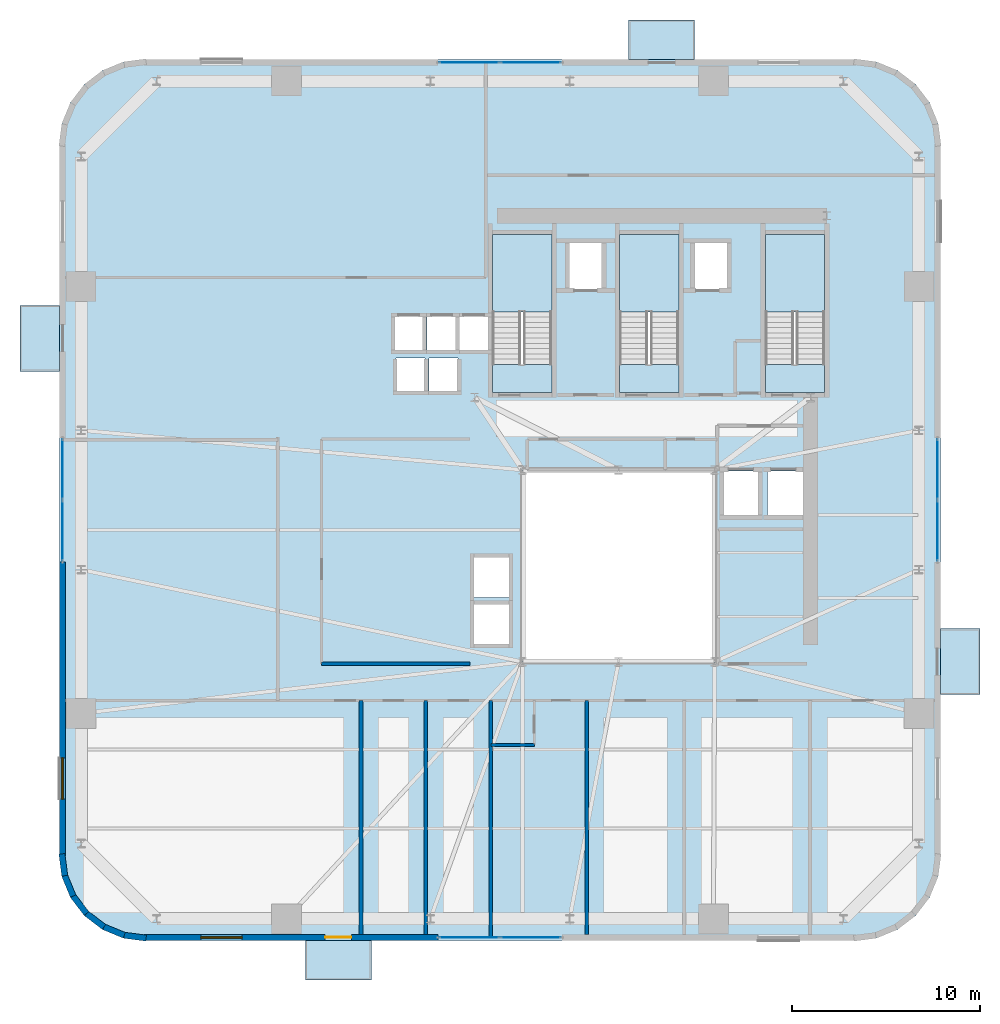
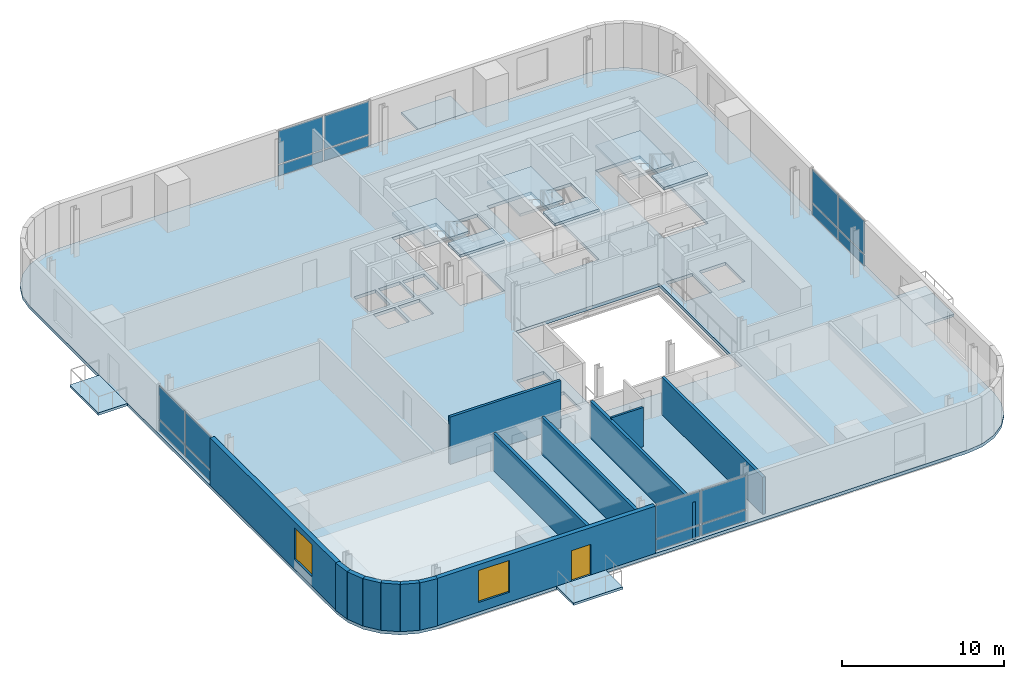
# One storey, part 5 of 14: 16 plates, 14 walls, 11 slabs, 2 windows, 1 door, 3 openings, 7 elements without a shape of their own.
"""IFC4 building model written with IfcOpenShell, lengths in metres."""

from ifc_helpers import new_model, si_unit, direction, frame, frame_2d, origin, origin_2d, place, context, subcontext, project, spatial, polyline, rectangle, outline, extrude, source, transform, mapped, material, layer, layer_set, type_object, element, fill, aggregate, save


model = new_model("IFC4")

# Units and contexts
model_context = context("Model", 3, precision=1e-05, world=origin(), true_north=direction((0.0, 1.0)))
body_context = subcontext(model_context, "Body", "Model", "MODEL_VIEW")
ifc_project = project(units=[si_unit("LENGTHUNIT", "METRE"), si_unit("AREAUNIT", "SQUARE_METRE"), si_unit("VOLUMEUNIT", "CUBIC_METRE"), si_unit("PLANEANGLEUNIT", "RADIAN"), si_unit("MASSUNIT", "GRAM", prefix="KILO")], contexts=[model_context])

# Site, building, storey
site_placement = place(None, origin())
site = spatial("IfcSite", under=ifc_project, at=site_placement, CompositionType="ELEMENT")
building_placement = place(site_placement, origin())
building = spatial("IfcBuilding", under=site, at=building_placement, Name="Vardaveli Station Tower", CompositionType="ELEMENT")
storey_placement = place(building_placement, frame((0.0, 0.0, 107.5)))
storey = spatial("IfcBuildingStorey", under=building, at=storey_placement, Name="L27", CompositionType="ELEMENT", Elevation=107.5)

# Stair, slabs
ifc_material_1 = material(Name="Concrete C40/50", Category="concrete")
stair_type = type_object("IfcStairType", Name="STR-CORE-1500", PredefinedType="HALF_TURN_STAIR", material=ifc_material_1)
stair_1_placement = place(storey_placement, origin())
stair_1 = element("IfcStair", 1, at=stair_1_placement, inside=storey, type_object=stair_type, Name="L27 ST-1", PredefinedType="HALF_TURN_STAIR")
ifc_layer_1 = layer(ifc_material_1, 0.199951171875, Name="Concrete C40/50")
ifc_layer_set_1 = layer_set([ifc_layer_1], Name="Concrete C40/50")
slab_type_1 = type_object("IfcSlabType", Name="SLB-LAND-200", PredefinedType="LANDING", material=ifc_layer_set_1)
slab_1_placement = place(storey_placement, frame((0.0, 0.0, 1.699951171875)))
slab_1 = element("IfcSlab", 2, at=slab_1_placement, type_object=slab_type_1, Name="ST-1 landing 1", PredefinedType="LANDING", context=body_context, shape_type="SweptSolid", body=[
    extrude(outline(polyline([(32.75, 35.199951171875), (32.75, 39.300048828125), (29.60009765625, 39.300048828125), (29.60009765625, 35.199951171875), (32.75, 35.199951171875)])), origin(), (0.0, 0.0, 1.0), 0.199951171875),
])
slab_2_placement = place(storey_placement, frame((0.0, 0.0, 3.60009765625)))
slab_2 = element("IfcSlab", 3, at=slab_2_placement, type_object=slab_type_1, Name="ST-1 landing 2", PredefinedType="LANDING", context=body_context, shape_type="SweptSolid", body=[
    extrude(outline(polyline([(32.75, 30.89990234375), (32.75, 32.39990234375), (29.60009765625, 32.39990234375), (29.60009765625, 30.89990234375), (32.75, 30.89990234375)])), origin(), (0.0, 0.0, 1.0), 0.199951171875),
])
aggregate(stair_1, [slab_1, slab_2])

stair_2_placement = place(storey_placement, origin())
stair_2 = element("IfcStair", 4, at=stair_2_placement, inside=storey, type_object=stair_type, Name="L27 ST-2", PredefinedType="HALF_TURN_STAIR")
slab_3_placement = place(storey_placement, frame((0.0, 0.0, 1.699951171875)))
slab_3 = element("IfcSlab", 5, at=slab_3_placement, type_object=slab_type_1, Name="ST-2 landing 1", PredefinedType="LANDING", context=body_context, shape_type="SweptSolid", body=[
    extrude(outline(polyline([(39.5, 35.199951171875), (39.5, 39.300048828125), (36.35009765625, 39.300048828125), (36.35009765625, 35.199951171875), (39.5, 35.199951171875)])), origin(), (0.0, 0.0, 1.0), 0.199951171875),
])
slab_4_placement = place(storey_placement, frame((0.0, 0.0, 3.60009765625)))
slab_4 = element("IfcSlab", 6, at=slab_4_placement, type_object=slab_type_1, Name="ST-2 landing 2", PredefinedType="LANDING", context=body_context, shape_type="SweptSolid", body=[
    extrude(outline(polyline([(39.5, 30.89990234375), (39.5, 32.39990234375), (36.35009765625, 32.39990234375), (36.35009765625, 30.89990234375), (39.5, 30.89990234375)])), origin(), (0.0, 0.0, 1.0), 0.199951171875),
])
aggregate(stair_2, [slab_3, slab_4])

stair_3_placement = place(storey_placement, origin())
stair_3 = element("IfcStair", 7, at=stair_3_placement, inside=storey, type_object=stair_type, Name="L27 ST-3", PredefinedType="HALF_TURN_STAIR")
slab_5_placement = place(storey_placement, frame((0.0, 0.0, 1.699951171875)))
slab_5 = element("IfcSlab", 8, at=slab_5_placement, type_object=slab_type_1, Name="ST-3 landing 1", PredefinedType="LANDING", context=body_context, shape_type="SweptSolid", body=[
    extrude(outline(polyline([(47.25, 35.199951171875), (47.25, 39.300048828125), (44.10009765625, 39.300048828125), (44.10009765625, 35.199951171875), (47.25, 35.199951171875)])), origin(), (0.0, 0.0, 1.0), 0.199951171875),
])
slab_6_placement = place(storey_placement, frame((0.0, 0.0, 3.60009765625)))
slab_6 = element("IfcSlab", 9, at=slab_6_placement, type_object=slab_type_1, Name="ST-3 landing 2", PredefinedType="LANDING", context=body_context, shape_type="SweptSolid", body=[
    extrude(outline(polyline([(47.25, 30.89990234375), (47.25, 32.39990234375), (44.10009765625, 32.39990234375), (44.10009765625, 30.89990234375), (47.25, 30.89990234375)])), origin(), (0.0, 0.0, 1.0), 0.199951171875),
])
aggregate(stair_3, [slab_5, slab_6])

# Slabs
ifc_material_2 = material(Name="Precast concrete C45/55", Category="concrete")
ifc_layer_2 = layer(ifc_material_2, 0.179931640625, Name="Precast concrete C45/55")
ifc_layer_set_2 = layer_set([ifc_layer_2], Name="Precast concrete C45/55")
slab_type_2 = type_object("IfcSlabType", Name="SLB-LOGGIA-180", PredefinedType="FLOOR", material=ifc_layer_set_2)
slab_7_placement = place(storey_placement, frame((0.0, 0.0, -0.179931640625)))
element("IfcSlab", 10, at=slab_7_placement, inside=storey, type_object=slab_type_2, Name="LOG-L27-S", PredefinedType="FLOOR", context=body_context, shape_type="SweptSolid", body=[
    extrude(outline(polyline([(19.660400390625, -0.300048828125), (23.160400390625, -0.300048828125), (23.160400390625, 1.800048828125), (19.660400390625, 1.800048828125), (19.660400390625, -0.300048828125)])), origin(), (0.0, 0.0, 1.0), 0.179931640625),
])
slab_8_placement = place(storey_placement, frame((0.0, 0.0, -0.179931640625)))
element("IfcSlab", 11, at=slab_8_placement, inside=storey, type_object=slab_type_2, Name="LOG-L27-N", PredefinedType="FLOOR", context=body_context, shape_type="SweptSolid", body=[
    extrude(outline(polyline([(36.839599609375, 48.60009765625), (40.339599609375, 48.60009765625), (40.339599609375, 50.699951171875), (36.839599609375, 50.699951171875), (36.839599609375, 48.60009765625)])), origin(), (0.0, 0.0, 1.0), 0.179931640625),
])
slab_9_placement = place(storey_placement, frame((0.0, 0.0, -0.179931640625)))
element("IfcSlab", 12, at=slab_9_placement, inside=storey, type_object=slab_type_2, Name="LOG-L27-W", PredefinedType="FLOOR", context=body_context, shape_type="SweptSolid", body=[
    extrude(outline(polyline([(4.5, 32.03955078125), (6.60009765625, 32.03955078125), (6.60009765625, 35.53955078125), (4.5, 35.53955078125), (4.5, 32.03955078125)])), origin(), (0.0, 0.0, 1.0), 0.179931640625),
])
slab_10_placement = place(storey_placement, frame((0.0, 0.0, -0.179931640625)))
element("IfcSlab", 13, at=slab_10_placement, inside=storey, type_object=slab_type_2, Name="LOG-L27-E", PredefinedType="FLOOR", context=body_context, shape_type="SweptSolid", body=[
    extrude(outline(polyline([(53.39990234375, 14.8603515625), (55.5, 14.8603515625), (55.5, 18.3603515625), (53.39990234375, 18.3603515625), (53.39990234375, 14.8603515625)])), origin(), (0.0, 0.0, 1.0), 0.179931640625),
])
ifc_layer_3 = layer(ifc_material_1, 0.239990234375, Name="Concrete C40/50")
ifc_layer_set_3 = layer_set([ifc_layer_3], Name="Concrete C40/50")
slab_type_3 = type_object("IfcSlabType", Name="SLB-TOW-240", PredefinedType="FLOOR", material=ifc_layer_set_3)
slab_11_placement = place(storey_placement, frame((0.0, 0.0, -0.239990234375)))
element("IfcSlab", 14, at=slab_11_placement, inside=storey, type_object=slab_type_3, Name="SLB-L27-MAIN", PredefinedType="FLOOR", context=body_context, shape_type="SweptSolid", body=[
    extrude(outline(polyline([(6.60009765625, 6.300048828125), (6.75341796875, 5.13525390625), (7.202880859375, 4.050048828125), (7.91796875, 3.117919921875), (8.85009765625, 2.40283203125), (9.935302734375, 1.953369140625), (11.10009765625, 1.800048828125), (48.89990234375, 1.800048828125), (50.064697265625, 1.953369140625), (51.14990234375, 2.40283203125), (52.08203125, 3.117919921875), (52.797119140625, 4.050048828125), (53.24658203125, 5.13525390625), (53.39990234375, 6.300048828125), (53.39990234375, 44.10009765625), (53.24658203125, 45.2646484375), (52.797119140625, 46.35009765625), (52.08203125, 47.281982421875), (51.14990234375, 47.9970703125), (50.064697265625, 48.44677734375), (48.89990234375, 48.60009765625), (11.10009765625, 48.60009765625), (9.935302734375, 48.44677734375), (8.85009765625, 47.9970703125), (7.91796875, 47.281982421875), (7.202880859375, 46.35009765625), (6.75341796875, 45.2646484375), (6.60009765625, 44.10009765625), (6.60009765625, 6.300048828125)]), holes=[polyline([(31.199951171875, 16.60009765625), (41.39990234375, 16.60009765625), (41.39990234375, 26.800048828125), (31.199951171875, 26.800048828125), (31.199951171875, 16.60009765625)]), polyline([(32.75, 30.89990234375), (32.75, 39.300048828125), (29.60009765625, 39.300048828125), (29.60009765625, 30.89990234375), (32.75, 30.89990234375)]), polyline([(39.5, 30.89990234375), (39.5, 39.300048828125), (36.35009765625, 39.300048828125), (36.35009765625, 30.89990234375), (39.5, 30.89990234375)]), polyline([(47.25, 30.89990234375), (47.25, 39.300048828125), (44.10009765625, 39.300048828125), (44.10009765625, 30.89990234375), (47.25, 30.89990234375)]), polyline([(24.385009765625, 33.135009765625), (25.9150390625, 33.135009765625), (25.9150390625, 34.965087890625), (24.385009765625, 34.965087890625), (24.385009765625, 33.135009765625)]), polyline([(26.135009765625, 33.135009765625), (27.6650390625, 33.135009765625), (27.6650390625, 34.965087890625), (26.135009765625, 34.965087890625), (26.135009765625, 33.135009765625)]), polyline([(27.8349609375, 33.135009765625), (29.364990234375, 33.135009765625), (29.364990234375, 34.965087890625), (27.8349609375, 34.965087890625), (27.8349609375, 33.135009765625)]), polyline([(33.659912109375, 36.409912109375), (35.43994140625, 36.409912109375), (35.43994140625, 38.889892578125), (33.659912109375, 38.889892578125), (33.659912109375, 36.409912109375)]), polyline([(40.31005859375, 36.409912109375), (42.090087890625, 36.409912109375), (42.090087890625, 38.889892578125), (40.31005859375, 38.889892578125), (40.31005859375, 36.409912109375)]), polyline([(24.485107421875, 30.9599609375), (26.014892578125, 30.9599609375), (26.014892578125, 32.739990234375), (24.485107421875, 32.739990234375), (24.485107421875, 30.9599609375)]), polyline([(26.235107421875, 30.9599609375), (27.764892578125, 30.9599609375), (27.764892578125, 32.739990234375), (26.235107421875, 32.739990234375), (26.235107421875, 30.9599609375)]), polyline([(28.5849609375, 17.510009765625), (30.514892578125, 17.510009765625), (30.514892578125, 19.68994140625), (28.5849609375, 19.68994140625), (28.5849609375, 17.510009765625)]), polyline([(28.5849609375, 20.010009765625), (30.514892578125, 20.010009765625), (30.514892578125, 22.18994140625), (28.5849609375, 22.18994140625), (28.5849609375, 20.010009765625)]), polyline([(41.860107421875, 24.360107421875), (43.739990234375, 24.360107421875), (43.739990234375, 26.739990234375), (41.860107421875, 26.739990234375), (41.860107421875, 24.360107421875)]), polyline([(44.2099609375, 24.360107421875), (46.090087890625, 24.360107421875), (46.090087890625, 26.739990234375), (44.2099609375, 26.739990234375), (44.2099609375, 24.360107421875)])]), origin(), (0.0, 0.0, 1.0), 0.239990234375),
])

# Curtain wall, plates
ifc_material_3 = material(Name="Travertine stone and solar-control glass", Category="masonry")
curtain_wall_type = type_object("IfcCurtainWallType", Name="CW-SYS-2", PredefinedType="NOTDEFINED", material=ifc_material_3)
curtain_wall_1_placement = place(storey_placement, origin())
curtain_wall_1 = element("IfcCurtainWall", 15, at=curtain_wall_1_placement, inside=storey, type_object=curtain_wall_type, Name="CW-L27-S", PredefinedType="NOTDEFINED")
ifc_material_4 = material(Name="Double-glazed low-E solar-control glass", Category="glass")
ifc_layer_4 = layer(ifc_material_4, 0.035888671875, Name="Double-glazed low-E solar-control glass")
ifc_layer_set_4 = layer_set([ifc_layer_4], Name="Double-glazed low-E solar-control glass")
plate_type = type_object("IfcPlateType", Name="CW-SYS-2-PAN", PredefinedType="CURTAIN_PANEL", material=ifc_layer_set_4)
shared_shape_1 = source(origin(), body_context, "Body", "SweptSolid", [
    extrude(rectangle(XDim=3.172607421875, YDim=0.035888671875, at=origin_2d()), origin(), (0.0, 0.0, 1.0), 0.822509765625),
])
plate_1_placement = place(storey_placement, frame((28.371337890625, 1.9599609375, 0.0849609375), z_axis=(0.0, 0.0, 1.0), x_axis=(1.0, 0.0, 0.0)))
plate_1 = element("IfcPlate", 16, at=plate_1_placement, type_object=plate_type, Name="CW-2 panel 1.1", PredefinedType="CURTAIN_PANEL", context=body_context, shape_type="MappedRepresentation", body=[
    mapped(shared_shape_1, transform((0.0, 0.0, 0.0), scale=1.0)),
])
plate_2_placement = place(storey_placement, frame((31.628662109375, 1.9599609375, 0.0849609375), z_axis=(0.0, 0.0, 1.0), x_axis=(1.0, 0.0, 0.0)))
plate_2 = element("IfcPlate", 17, at=plate_2_placement, type_object=plate_type, Name="CW-2 panel 2.1", PredefinedType="CURTAIN_PANEL", context=body_context, shape_type="MappedRepresentation", body=[
    mapped(shared_shape_1, transform((0.0, 0.0, 0.0), scale=1.0)),
])

curtain_wall_2_placement = place(storey_placement, origin())
curtain_wall_2 = element("IfcCurtainWall", 18, at=curtain_wall_2_placement, inside=storey, type_object=curtain_wall_type, Name="CW-L27-N", PredefinedType="NOTDEFINED")
plate_3_placement = place(storey_placement, frame((31.628662109375, 48.43994140625, 0.0849609375), z_axis=(0.0, 0.0, 1.0), x_axis=(-1.0, 0.0, 0.0)))
plate_3 = element("IfcPlate", 19, at=plate_3_placement, type_object=plate_type, Name="CW-2 panel 1.1", PredefinedType="CURTAIN_PANEL", context=body_context, shape_type="MappedRepresentation", body=[
    mapped(shared_shape_1, transform((0.0, 0.0, 0.0), scale=1.0)),
])
plate_4_placement = place(storey_placement, frame((28.371337890625, 48.43994140625, 0.0849609375), z_axis=(0.0, 0.0, 1.0), x_axis=(-1.0, 0.0, 0.0)))
plate_4 = element("IfcPlate", 20, at=plate_4_placement, type_object=plate_type, Name="CW-2 panel 2.1", PredefinedType="CURTAIN_PANEL", context=body_context, shape_type="MappedRepresentation", body=[
    mapped(shared_shape_1, transform((0.0, 0.0, 0.0), scale=1.0)),
])

curtain_wall_3_placement = place(storey_placement, origin())
curtain_wall_3 = element("IfcCurtainWall", 21, at=curtain_wall_3_placement, inside=storey, type_object=curtain_wall_type, Name="CW-L27-W", PredefinedType="NOTDEFINED")
plate_5_placement = place(storey_placement, frame((6.760009765625, 26.828857421875, 0.0849609375), z_axis=(0.0, 0.0, 1.0), x_axis=(0.0, -1.0, 0.0)))
plate_5 = element("IfcPlate", 22, at=plate_5_placement, type_object=plate_type, Name="CW-2 panel 1.1", PredefinedType="CURTAIN_PANEL", context=body_context, shape_type="MappedRepresentation", body=[
    mapped(shared_shape_1, transform((0.0, 0.0, 0.0), scale=1.0)),
])
plate_6_placement = place(storey_placement, frame((6.760009765625, 23.5712890625, 0.0849609375), z_axis=(0.0, 0.0, 1.0), x_axis=(0.0, -1.0, 0.0)))
plate_6 = element("IfcPlate", 23, at=plate_6_placement, type_object=plate_type, Name="CW-2 panel 2.1", PredefinedType="CURTAIN_PANEL", context=body_context, shape_type="MappedRepresentation", body=[
    mapped(shared_shape_1, transform((0.0, 0.0, 0.0), scale=1.0)),
])

curtain_wall_4_placement = place(storey_placement, origin())
curtain_wall_4 = element("IfcCurtainWall", 24, at=curtain_wall_4_placement, inside=storey, type_object=curtain_wall_type, Name="CW-L27-E", PredefinedType="NOTDEFINED")
plate_7_placement = place(storey_placement, frame((53.239990234375, 23.5712890625, 0.0849609375), z_axis=(0.0, 0.0, 1.0), x_axis=(0.0, 1.0, 0.0)))
plate_7 = element("IfcPlate", 25, at=plate_7_placement, type_object=plate_type, Name="CW-2 panel 1.1", PredefinedType="CURTAIN_PANEL", context=body_context, shape_type="MappedRepresentation", body=[
    mapped(shared_shape_1, transform((0.0, 0.0, 0.0), scale=1.0)),
])
plate_8_placement = place(storey_placement, frame((53.239990234375, 26.828857421875, 0.0849609375), z_axis=(0.0, 0.0, 1.0), x_axis=(0.0, 1.0, 0.0)))
plate_8 = element("IfcPlate", 26, at=plate_8_placement, type_object=plate_type, Name="CW-2 panel 2.1", PredefinedType="CURTAIN_PANEL", context=body_context, shape_type="MappedRepresentation", body=[
    mapped(shared_shape_1, transform((0.0, 0.0, 0.0), scale=1.0)),
])

# Plate
shared_shape_2 = source(origin(), body_context, "Body", "SweptSolid", [
    extrude(rectangle(XDim=3.172607421875, YDim=0.035888671875, at=origin_2d()), origin(), (0.0, 0.0, 1.0), 2.482421875),
])
plate_9_placement = place(storey_placement, frame((28.371337890625, 1.9599609375, 0.992431640625), z_axis=(0.0, 0.0, 1.0), x_axis=(1.0, 0.0, 0.0)))
plate_9 = element("IfcPlate", 27, at=plate_9_placement, type_object=plate_type, Name="CW-2 panel 1.2", PredefinedType="CURTAIN_PANEL", context=body_context, shape_type="MappedRepresentation", body=[
    mapped(shared_shape_2, transform((0.0, 0.0, 0.0), scale=1.0)),
])

plate_10_placement = place(storey_placement, frame((31.628662109375, 1.9599609375, 0.992431640625), z_axis=(0.0, 0.0, 1.0), x_axis=(1.0, 0.0, 0.0)))
plate_10 = element("IfcPlate", 28, at=plate_10_placement, type_object=plate_type, Name="CW-2 panel 2.2", PredefinedType="CURTAIN_PANEL", context=body_context, shape_type="MappedRepresentation", body=[
    mapped(shared_shape_2, transform((0.0, 0.0, 0.0), scale=1.0)),
])

aggregate(curtain_wall_1, [plate_1, plate_9, plate_2, plate_10])

plate_11_placement = place(storey_placement, frame((31.628662109375, 48.43994140625, 0.992431640625), z_axis=(0.0, 0.0, 1.0), x_axis=(-1.0, 0.0, 0.0)))
plate_11 = element("IfcPlate", 29, at=plate_11_placement, type_object=plate_type, Name="CW-2 panel 1.2", PredefinedType="CURTAIN_PANEL", context=body_context, shape_type="MappedRepresentation", body=[
    mapped(shared_shape_2, transform((0.0, 0.0, 0.0), scale=1.0)),
])

plate_12_placement = place(storey_placement, frame((28.371337890625, 48.43994140625, 0.992431640625), z_axis=(0.0, 0.0, 1.0), x_axis=(-1.0, 0.0, 0.0)))
plate_12 = element("IfcPlate", 30, at=plate_12_placement, type_object=plate_type, Name="CW-2 panel 2.2", PredefinedType="CURTAIN_PANEL", context=body_context, shape_type="MappedRepresentation", body=[
    mapped(shared_shape_2, transform((0.0, 0.0, 0.0), scale=1.0)),
])

aggregate(curtain_wall_2, [plate_3, plate_11, plate_4, plate_12])

plate_13_placement = place(storey_placement, frame((6.760009765625, 26.828857421875, 0.992431640625), z_axis=(0.0, 0.0, 1.0), x_axis=(0.0, -1.0, 0.0)))
plate_13 = element("IfcPlate", 31, at=plate_13_placement, type_object=plate_type, Name="CW-2 panel 1.2", PredefinedType="CURTAIN_PANEL", context=body_context, shape_type="MappedRepresentation", body=[
    mapped(shared_shape_2, transform((0.0, 0.0, 0.0), scale=1.0)),
])

plate_14_placement = place(storey_placement, frame((6.760009765625, 23.5712890625, 0.992431640625), z_axis=(0.0, 0.0, 1.0), x_axis=(0.0, -1.0, 0.0)))
plate_14 = element("IfcPlate", 32, at=plate_14_placement, type_object=plate_type, Name="CW-2 panel 2.2", PredefinedType="CURTAIN_PANEL", context=body_context, shape_type="MappedRepresentation", body=[
    mapped(shared_shape_2, transform((0.0, 0.0, 0.0), scale=1.0)),
])

aggregate(curtain_wall_3, [plate_5, plate_13, plate_6, plate_14])

plate_15_placement = place(storey_placement, frame((53.239990234375, 23.5712890625, 0.992431640625), z_axis=(0.0, 0.0, 1.0), x_axis=(0.0, 1.0, 0.0)))
plate_15 = element("IfcPlate", 33, at=plate_15_placement, type_object=plate_type, Name="CW-2 panel 1.2", PredefinedType="CURTAIN_PANEL", context=body_context, shape_type="MappedRepresentation", body=[
    mapped(shared_shape_2, transform((0.0, 0.0, 0.0), scale=1.0)),
])

plate_16_placement = place(storey_placement, frame((53.239990234375, 26.828857421875, 0.992431640625), z_axis=(0.0, 0.0, 1.0), x_axis=(0.0, 1.0, 0.0)))
plate_16 = element("IfcPlate", 34, at=plate_16_placement, type_object=plate_type, Name="CW-2 panel 2.2", PredefinedType="CURTAIN_PANEL", context=body_context, shape_type="MappedRepresentation", body=[
    mapped(shared_shape_2, transform((0.0, 0.0, 0.0), scale=1.0)),
])

aggregate(curtain_wall_4, [plate_7, plate_15, plate_8, plate_16])

# Wall, openings, door, window
ifc_layer_5 = layer(ifc_material_2, 0.320068359375, Name="Precast concrete C45/55")
ifc_layer_set_5 = layer_set([ifc_layer_5], Name="Precast concrete C45/55")
wall_type_1 = type_object("IfcWallType", Name="WAL-EXT-STONE-320", PredefinedType="SOLIDWALL", material=ifc_layer_set_5)
shared_shape_3 = source(origin(), body_context, "Body", "SweptSolid", [
    extrude(rectangle(XDim=15.599853515625, YDim=0.320068359375, at=frame_2d((7.7998046875, 0.0))), origin(), (0.0, 0.0, 1.0), 3.56005859375),
])
wall_1_placement = place(storey_placement, frame((11.10009765625, 1.9599609375, 0.0), z_axis=(0.0, 0.0, 1.0), x_axis=(1.0, 0.0, 0.0)))
wall_1 = element("IfcWall", 35, at=wall_1_placement, inside=storey, type_object=wall_type_1, Name="EW-L27-S1", PredefinedType="SOLIDWALL", context=body_context, shape_type="MappedRepresentation", body=[
    mapped(shared_shape_3, transform((0.0, 0.0, 0.0), scale=1.0)),
])
shared_shape_4 = source(origin(), body_context, "Body", "SweptSolid", [
    extrude(rectangle(XDim=1.39990234375, YDim=2.300048828125, at=frame_2d((0.699951171875, 1.14990234375))), frame((0.0, 0.169921875, 0.0), z_axis=(0.0, -1.0, 0.0), x_axis=(1.0, 0.0, 0.0)), (0.0, 0.0, 1.0), 0.340087890625),
])
opening_1_placement = place(wall_1_placement, frame((9.6103515625, 0.0, 0.0)))
opening_1 = element("IfcOpeningElement", 36, at=opening_1_placement, cuts=wall_1, Name="Opening D-09", PredefinedType="OPENING", context=body_context, shape_type="MappedRepresentation", body=[
    mapped(shared_shape_4, transform((0.0, 0.0, 0.0), scale=1.0)),
])
shared_shape_5 = source(origin(), body_context, "Body", "SweptSolid", [
    extrude(rectangle(XDim=2.199951171875, YDim=2.39990234375, at=frame_2d((1.10009765625, 1.199951171875))), frame((0.0, 0.169921875, 0.0), z_axis=(0.0, -1.0, 0.0), x_axis=(1.0, 0.0, 0.0)), (0.0, 0.0, 1.0), 0.340087890625),
])
opening_2_placement = place(wall_1_placement, frame((3.0048828125, 0.0, 0.719970703125)))
opening_2 = element("IfcOpeningElement", 37, at=opening_2_placement, cuts=wall_1, Name="Opening W-03", PredefinedType="OPENING", context=body_context, shape_type="MappedRepresentation", body=[
    mapped(shared_shape_5, transform((0.0, 0.0, 0.0), scale=1.0)),
])
ifc_material_5 = material(Name="Thermally broken aluminium glass", Category="aluminium")
door_type = type_object("IfcDoorType", Name="DR-LOG-1400x2300", OperationType="DOUBLE_DOOR_SLIDING", PredefinedType="DOOR", material=ifc_material_5)
shared_shape_6 = source(origin(), body_context, "Body", "SweptSolid", [
    extrude(rectangle(XDim=1.39990234375, YDim=2.300048828125, at=frame_2d((0.699951171875, 1.14990234375))), frame((0.0, 0.02490234375, 0.0), z_axis=(0.0, -1.0, 0.0), x_axis=(1.0, 0.0, 0.0)), (0.0, 0.0, 1.0), 0.050048828125),
])
door_placement = place(opening_1_placement, frame((1.39990234375, 0.0, 0.0), z_axis=(0.0, 0.0, 1.0), x_axis=(-1.0, 0.0, 0.0)))
door = element("IfcDoor", 38, at=door_placement, inside=storey, type_object=door_type, Name="DLG-L27-S", OperationType="DOUBLE_DOOR_SLIDING", OverallHeight=2.300048828125, OverallWidth=1.39990234375, PredefinedType="DOOR", context=body_context, shape_type="MappedRepresentation", body=[
    mapped(shared_shape_6, transform((0.0, 0.0, 0.0), scale=1.0)),
])
fill(opening_1, door)
ifc_material_6 = material(Name="Low-E solar-control glass", Category="glass")
window_type = type_object("IfcWindowType", Name="WIN-LOG-2200x2400", PartitioningType="SINGLE_PANEL", PredefinedType="WINDOW", material=ifc_material_6)
shared_shape_7 = source(origin(), body_context, "Body", "SweptSolid", [
    extrude(rectangle(XDim=2.199951171875, YDim=2.39990234375, at=frame_2d((1.10009765625, 1.199951171875))), frame((0.0, 0.030029296875, 0.0), z_axis=(0.0, -1.0, 0.0), x_axis=(1.0, 0.0, 0.0)), (0.0, 0.0, 1.0), 0.06005859375),
])
window_1_placement = place(opening_2_placement, origin())
window_1 = element("IfcWindow", 39, at=window_1_placement, inside=storey, type_object=window_type, Name="WN-L27-S1", OverallHeight=2.39990234375, OverallWidth=2.199951171875, PartitioningType="SINGLE_PANEL", PredefinedType="WINDOW", context=body_context, shape_type="MappedRepresentation", body=[
    mapped(shared_shape_7, transform((0.0, 0.0, 0.0), scale=1.0)),
])
fill(opening_2, window_1)

# Wall, opening, window
wall_2_placement = place(storey_placement, frame((6.760009765625, 21.89990234375, 0.0), z_axis=(0.0, 0.0, 1.0), x_axis=(0.0, -1.0, 0.0)))
wall_2 = element("IfcWall", 40, at=wall_2_placement, inside=storey, type_object=wall_type_1, Name="EW-L27-W2", PredefinedType="SOLIDWALL", context=body_context, shape_type="MappedRepresentation", body=[
    mapped(shared_shape_3, transform((0.0, 0.0, 0.0), scale=1.0)),
])
opening_3_placement = place(wall_2_placement, frame((10.39501953125, 0.0, 0.719970703125)))
opening_3 = element("IfcOpeningElement", 41, at=opening_3_placement, cuts=wall_2, Name="Opening W-03", PredefinedType="OPENING", context=body_context, shape_type="MappedRepresentation", body=[
    mapped(shared_shape_5, transform((0.0, 0.0, 0.0), scale=1.0)),
])
window_2_placement = place(opening_3_placement, origin())
window_2 = element("IfcWindow", 42, at=window_2_placement, inside=storey, type_object=window_type, Name="WN-L27-W2", OverallHeight=2.39990234375, OverallWidth=2.199951171875, PartitioningType="SINGLE_PANEL", PredefinedType="WINDOW", context=body_context, shape_type="MappedRepresentation", body=[
    mapped(shared_shape_7, transform((0.0, 0.0, 0.0), scale=1.0)),
])
fill(opening_3, window_2)

# Walls
shared_shape_8 = source(origin(), body_context, "Body", "SweptSolid", [
    extrude(rectangle(XDim=1.170654296875, YDim=0.320068359375, at=frame_2d((0.58544921875, 0.0))), origin(), (0.0, 0.0, 1.0), 3.56005859375),
])
wall_3_placement = place(storey_placement, frame((6.724365234375, 6.400634765625, 0.0), z_axis=(0.0, 0.0, 1.0), x_axis=(0.128269133229, -0.991739395941, 0.0)))
element("IfcWall", 43, at=wall_3_placement, inside=storey, type_object=wall_type_1, Name="EW-L27-CR1-1", PredefinedType="SOLIDWALL", context=body_context, shape_type="MappedRepresentation", body=[
    mapped(shared_shape_8, transform((0.0, 0.0, 0.0), scale=1.0)),
])
shared_shape_9 = source(origin(), body_context, "Body", "SweptSolid", [
    extrude(rectangle(XDim=1.1689453125, YDim=0.320068359375, at=frame_2d((0.58447265625, 0.0))), origin(), (0.0, 0.0, 1.0), 3.56005859375),
])
for number, where, z_axis, x_axis, name in (
    (44, (6.87451171875, 5.23974609375, 0.0), (0.0, 0.0, 1.0), (0.381127904695, -0.924522320046, 0.0), "EW-L27-CR1-2"),
    (45, (7.320068359375, 4.158935546875, 0.0), (0.0, 0.0, 1.0), (0.608387696831, -0.793639975269, 0.0), "EW-L27-CR1-3"),
):
    element("IfcWall", number, at=place(storey_placement, frame(where, z_axis=z_axis, x_axis=x_axis)), inside=storey, type_object=wall_type_1, Name=name, PredefinedType="SOLIDWALL", context=body_context, shape_type="MappedRepresentation", body=[
        mapped(shared_shape_9, transform((0.0, 0.0, 0.0), scale=1.0)),
    ])
shared_shape_10 = source(origin(), body_context, "Body", "SweptSolid", [
    extrude(rectangle(XDim=1.168701171875, YDim=0.320068359375, at=frame_2d((0.58447265625, 0.0))), origin(), (0.0, 0.0, 1.0), 3.56005859375),
])
wall_4_placement = place(storey_placement, frame((8.03125, 3.231201171875, 0.0), z_axis=(0.0, 0.0, 1.0), x_axis=(0.793663520347, -0.608356981114, 0.0)))
element("IfcWall", 46, at=wall_4_placement, inside=storey, type_object=wall_type_1, Name="EW-L27-CR1-4", PredefinedType="SOLIDWALL", context=body_context, shape_type="MappedRepresentation", body=[
    mapped(shared_shape_10, transform((0.0, 0.0, 0.0), scale=1.0)),
])
shared_shape_11 = source(origin(), body_context, "Body", "SweptSolid", [
    extrude(rectangle(XDim=1.16943359375, YDim=0.320068359375, at=frame_2d((0.584716796875, 0.0))), origin(), (0.0, 0.0, 1.0), 3.56005859375),
])
wall_5_placement = place(storey_placement, frame((8.958740234375, 2.520263671875, 0.0), z_axis=(0.0, 0.0, 1.0), x_axis=(0.924479075121, -0.381232789334, 0.0)))
element("IfcWall", 47, at=wall_5_placement, inside=storey, type_object=wall_type_1, Name="EW-L27-CR1-5", PredefinedType="SOLIDWALL", context=body_context, shape_type="MappedRepresentation", body=[
    mapped(shared_shape_11, transform((0.0, 0.0, 0.0), scale=1.0)),
])
shared_shape_12 = source(origin(), body_context, "Body", "SweptSolid", [
    extrude(rectangle(XDim=1.170166015625, YDim=0.320068359375, at=frame_2d((0.5849609375, 0.0))), origin(), (0.0, 0.0, 1.0), 3.56005859375),
])
wall_6_placement = place(storey_placement, frame((10.039794921875, 2.074462890625, 0.0), z_axis=(0.0, 0.0, 1.0), x_axis=(0.991762485493, -0.128090485085, 0.0)))
element("IfcWall", 48, at=wall_6_placement, inside=storey, type_object=wall_type_1, Name="EW-L27-CR1-6", PredefinedType="SOLIDWALL", context=body_context, shape_type="MappedRepresentation", body=[
    mapped(shared_shape_12, transform((0.0, 0.0, 0.0), scale=1.0)),
])
ifc_material_7 = material(Name="Acoustic twin-stud gypsum partition")
ifc_layer_6 = layer(ifc_material_7, 0.199951171875, Name="Acoustic twin-stud gypsum partition")
ifc_layer_set_6 = layer_set([ifc_layer_6], Name="Acoustic twin-stud gypsum partition")
wall_type_2 = type_object("IfcWallType", Name="WAL-PARTY-200", PredefinedType="PARTITIONING", material=ifc_layer_set_6)
shared_shape_13 = source(origin(), body_context, "Body", "SweptSolid", [
    extrude(rectangle(XDim=12.427978515625, YDim=0.199951171875, at=frame_2d((6.2138671875, 0.0))), origin(), (0.0, 0.0, 1.0), 2.802001953125),
])
for number, where, z_axis, x_axis, name in (
    (49, (22.610107421875, 2.1220703125, 0.0), (0.0, 0.0, 1.0), (0.0, 1.0, 0.0), "W-L27-PS1"),
    (50, (26.06005859375, 2.1220703125, 0.0), (0.0, 0.0, 1.0), (0.0, 1.0, 0.0), "W-L27-PS2"),
    (51, (34.60693359375, 2.1220703125, 0.0), (0.0, 0.0, 1.0), (0.0, 1.0, 0.0), "W-L27-PS4"),
):
    element("IfcWall", number, at=place(storey_placement, frame(where, z_axis=z_axis, x_axis=x_axis)), inside=storey, type_object=wall_type_2, Name=name, PredefinedType="PARTITIONING", context=body_context, shape_type="MappedRepresentation", body=[
        mapped(shared_shape_13, transform((0.0, 0.0, 0.0), scale=1.0)),
    ])
shared_shape_14 = source(origin(), body_context, "Body", "SweptSolid", [
    extrude(rectangle(XDim=12.6201171875, YDim=0.199951171875, at=frame_2d((6.31005859375, 0.0))), origin(), (0.0, 0.0, 1.0), 2.802001953125),
])
wall_7_placement = place(storey_placement, frame((29.510009765625, 1.929931640625, 0.0), z_axis=(0.0, 0.0, 1.0), x_axis=(0.0, 1.0, 0.0)))
element("IfcWall", 52, at=wall_7_placement, inside=storey, type_object=wall_type_2, Name="W-L27-PS3", PredefinedType="PARTITIONING", context=body_context, shape_type="MappedRepresentation", body=[
    mapped(shared_shape_14, transform((0.0, 0.0, 0.0), scale=1.0)),
])
ifc_material_8 = material(Name="Fire-rated gypsum stud partition")
ifc_layer_7 = layer(ifc_material_8, 0.179931640625, Name="Fire-rated gypsum stud partition")
ifc_layer_set_7 = layer_set([ifc_layer_7], Name="Fire-rated gypsum stud partition")
wall_type_3 = type_object("IfcWallType", Name="WAL-CORR-180", PredefinedType="PARTITIONING", material=ifc_layer_set_7)
shared_shape_15 = source(origin(), body_context, "Body", "SweptSolid", [
    extrude(rectangle(XDim=7.8798828125, YDim=0.179931640625, at=frame_2d((3.93994140625, 0.0))), origin(), (0.0, 0.0, 1.0), 3.56005859375),
])
wall_8_placement = place(storey_placement, frame((20.52001953125, 16.5, 0.0), z_axis=(0.0, 0.0, 1.0), x_axis=(1.0, 0.0, 0.0)))
element("IfcWall", 53, at=wall_8_placement, inside=storey, type_object=wall_type_3, Name="W-L27-ATW-S", PredefinedType="PARTITIONING", context=body_context, shape_type="MappedRepresentation", body=[
    mapped(shared_shape_15, transform((0.0, 0.0, 0.0), scale=1.0)),
])
ifc_material_9 = material(Name="Moisture-resistant stud partition")
ifc_layer_8 = layer(ifc_material_9, 0.14990234375, Name="Moisture-resistant stud partition")
ifc_layer_set_8 = layer_set([ifc_layer_8], Name="Moisture-resistant stud partition")
wall_type_4 = type_object("IfcWallType", Name="WAL-WET-150", PredefinedType="PARTITIONING", material=ifc_layer_set_8)
shared_shape_16 = source(origin(), body_context, "Body", "SweptSolid", [
    extrude(rectangle(XDim=2.2900390625, YDim=0.14990234375, at=frame_2d((1.14501953125, 0.0))), origin(), (0.0, 0.0, 1.0), 2.951904296875),
])
wall_9_placement = place(storey_placement, frame((29.530029296875, 12.18994140625, 0.0), z_axis=(0.0, 0.0, 1.0), x_axis=(1.0, 0.0, 0.0)))
element("IfcWall", 54, at=wall_9_placement, inside=storey, type_object=wall_type_4, Name="W-L27-BS4-S", PredefinedType="PARTITIONING", context=body_context, shape_type="MappedRepresentation", body=[
    mapped(shared_shape_16, transform((0.0, 0.0, 0.0), scale=1.0)),
])

save(model, "model.ifc")
